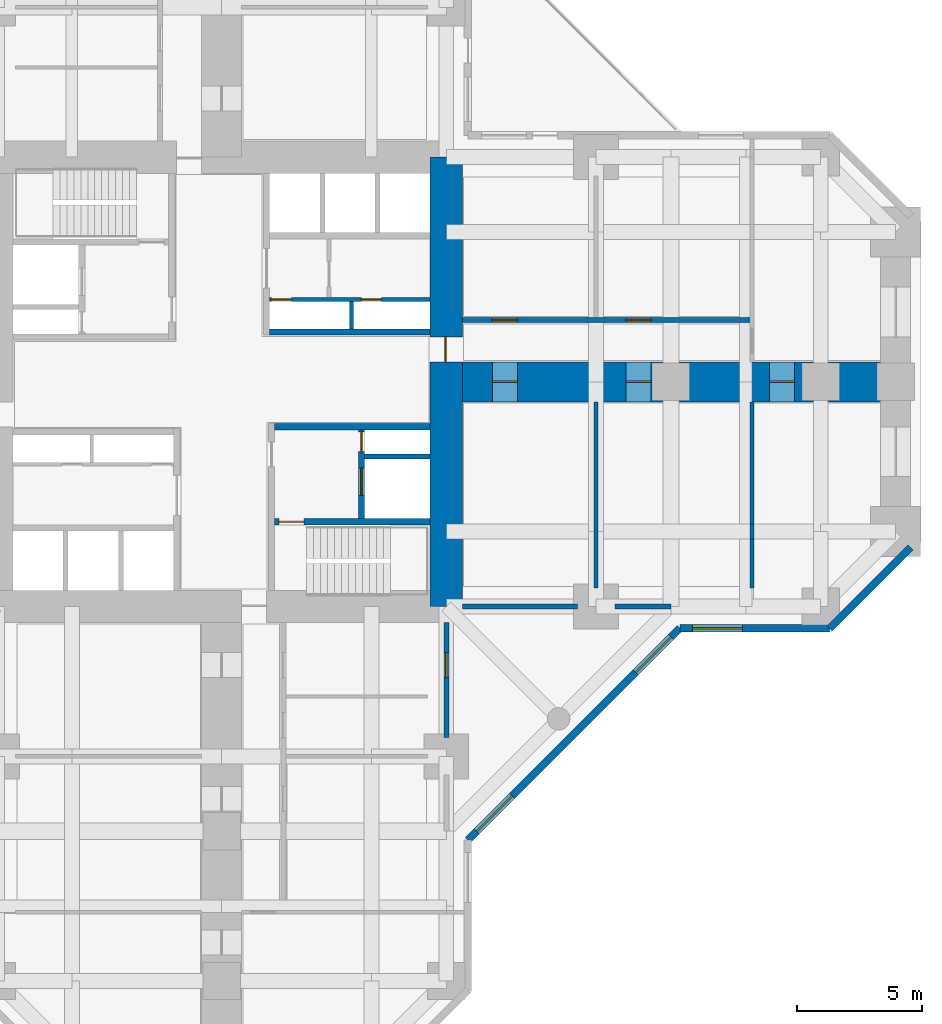
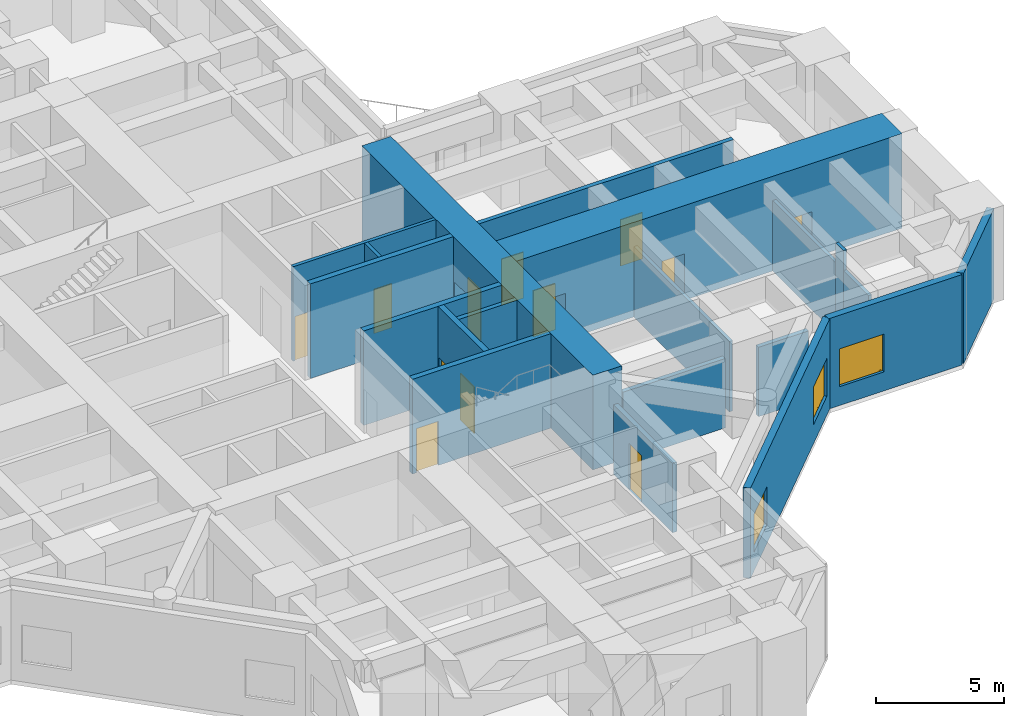
# One storey, part 5 of 10: 20 walls, 12 doors, 3 windows, 15 openings.
"""IFC4 building model written with IfcOpenShell, lengths in metres."""

import ifcopenshell
import ifcopenshell.guid

model = None  # the IFC model being written
_history = None  # IfcOwnerHistory: only IFC2X3 demands one
_inside = {}  # id of a spatial element -> (the spatial element, [elements in it])
_under = {}  # id of a project, library or spatial element -> (it, [spatial elements below it])
_declared = {}  # id of a project -> (the project, [libraries it declares])
_typed = {}  # id of a type object -> (the type object, [elements of that type])
_made_of = {}  # id of a material, layer set ... -> (it, [elements and type objects made of it])


def new_model(schema):
    """Start an empty IFC model of exactly this schema.

    Asked for "IFC4X3", IfcOpenShell would pick the latest addendum, in which some entities
    have other attributes; the version numbers below select the first issue.
    IFC2X3 requires an IfcOwnerHistory on every rooted entity: one is made here for all.
    """
    global model, _history
    if schema == "IFC4X3":
        model = ifcopenshell.file(schema_version=(4, 3, 0, 0))
    else:
        model = ifcopenshell.file(schema=schema)
    _inside.clear()
    _under.clear()
    _declared.clear()
    _typed.clear()
    _made_of.clear()
    _history = None
    if model.schema == "IFC2X3":
        org = make("IfcOrganization", Name="unknown")
        user = make(
            "IfcPersonAndOrganization",
            ThePerson=make("IfcPerson", FamilyName="unknown"),
            TheOrganization=org,
        )
        app = make(
            "IfcApplication",
            ApplicationDeveloper=org,
            Version="unknown",
            ApplicationFullName="unknown",
            ApplicationIdentifier="unknown",
        )
        _history = make(
            "IfcOwnerHistory",
            OwningUser=user,
            OwningApplication=app,
            ChangeAction="ADDED",
            CreationDate=0,
        )
    return model


def make(cls, **values):
    """One entity of the class cls with the attributes given. An attribute that is None is left unset."""
    return model.create_entity(
        cls, **{name: value for name, value in values.items() if value is not None}
    )


def rooted(cls, **values):
    """An entity with a GlobalId (a new one), such as an element, a storey or a relation."""
    return make(cls, GlobalId=ifcopenshell.guid.new(), OwnerHistory=_history, **values)


def si_unit(unit_type, name, prefix=None):
    """IfcSIUnit, for example si_unit("LENGTHUNIT", "METRE", prefix="MILLI")."""
    return make("IfcSIUnit", UnitType=unit_type, Prefix=prefix, Name=name)


def assignment(units):
    """IfcUnitAssignment: the units of a project."""
    return None if units is None else make("IfcUnitAssignment", Units=units)


def point(xyz):
    """IfcCartesianPoint."""
    return None if xyz is None else make("IfcCartesianPoint", Coordinates=xyz)


def direction(xyz):
    """IfcDirection."""
    return None if xyz is None else make("IfcDirection", DirectionRatios=xyz)


def frame(location, z_axis=None, x_axis=None):
    """IfcAxis2Placement3D, a coordinate frame: its origin and axes. An axis left out is left unset."""
    return make(
        "IfcAxis2Placement3D",
        Location=point(location),
        Axis=direction(z_axis),
        RefDirection=direction(x_axis),
    )


def frame_2d(location, x_axis=None):
    """IfcAxis2Placement2D, a coordinate frame in the plane: its origin and x axis."""
    return make(
        "IfcAxis2Placement2D", Location=point(location), RefDirection=direction(x_axis)
    )


def origin():
    """The frame at (0, 0, 0) with its axes left unset."""
    return frame((0.0, 0.0, 0.0))


def place(relative_to, where):
    """IfcLocalPlacement: puts the frame where relative to a parent placement (None: the world)."""
    return make(
        "IfcLocalPlacement", PlacementRelTo=relative_to, RelativePlacement=where
    )


def context(
    kind, dimensions, precision=None, world=None, true_north=None, identifier=None
):
    """IfcGeometricRepresentationContext, for example the 3D "Model" context."""
    return make(
        "IfcGeometricRepresentationContext",
        ContextIdentifier=identifier,
        ContextType=kind,
        CoordinateSpaceDimension=dimensions,
        Precision=precision,
        WorldCoordinateSystem=world,
        TrueNorth=true_north,
    )


def subcontext(parent, identifier, kind, view, scale=None):
    """IfcGeometricRepresentationSubContext, for example "Body" below "Model"."""
    return make(
        "IfcGeometricRepresentationSubContext",
        ContextIdentifier=identifier,
        ContextType=kind,
        ParentContext=parent,
        TargetScale=scale,
        TargetView=view,
    )


def project(units=None, contexts=None):
    """IfcProject with its units and contexts."""
    return rooted(
        "IfcProject",
        Name="project",
        RepresentationContexts=contexts,
        UnitsInContext=assignment(units),
    )


def spatial(cls, under=None, at=None, **own):
    """A site, building, storey or space (cls), placed at a placement, below another one or the project."""
    s = rooted(cls, ObjectPlacement=at, **own)
    if under is not None:
        _under.setdefault(under.id(), (under, []))[1].append(s)
    return s


def profile(cls, at=None, kind="AREA", **sizes):
    """A parametric profile (cls). Its sizes go by their IFC names, for example OverallWidth=200.0."""
    return make(cls, ProfileType=kind, Position=at, **sizes)


def rectangle(**sizes):
    """IfcRectangleProfileDef."""
    return profile("IfcRectangleProfileDef", **sizes)


def hollow_rectangle(**sizes):
    """IfcRectangleHollowProfileDef."""
    return profile("IfcRectangleHollowProfileDef", **sizes)


def extrude(swept, where, along, depth):
    """IfcExtrudedAreaSolid: the profile swept, set in the frame where, extruded along a direction by depth."""
    return make(
        "IfcExtrudedAreaSolid",
        SweptArea=swept,
        Position=where,
        ExtrudedDirection=direction(along),
        Depth=depth,
    )


def shape(context_of_items, identifier, shape_type, items):
    """IfcShapeRepresentation: the items that make up one representation, for example the "Body"."""
    return make(
        "IfcShapeRepresentation",
        ContextOfItems=context_of_items,
        RepresentationIdentifier=identifier,
        RepresentationType=shape_type,
        Items=items,
    )


def material(Name=None, Category=None):
    """IfcMaterial."""
    return make("IfcMaterial", Name=Name, Category=Category)


def layer(
    of_material, thickness, ventilated=None, Name=None, Category=None, Priority=None
):
    """IfcMaterialLayer: one layer of a wall or slab, of a material (None: an air gap)."""
    return make(
        "IfcMaterialLayer",
        Material=of_material,
        LayerThickness=thickness,
        IsVentilated=ventilated,
        Name=Name,
        Category=Category,
        Priority=Priority,
    )


def layer_set(layers, Name=None):
    """IfcMaterialLayerSet."""
    return make("IfcMaterialLayerSet", MaterialLayers=layers, LayerSetName=Name)


def constituent(of_material, Name=None, Category=None, fraction=None):
    """IfcMaterialConstituent: one of the materials an element consists of."""
    return make(
        "IfcMaterialConstituent",
        Name=Name,
        Material=of_material,
        Fraction=fraction,
        Category=Category,
    )


def constituent_set(constituents=None, Name=None):
    """IfcMaterialConstituentSet."""
    return make(
        "IfcMaterialConstituentSet", Name=Name, MaterialConstituents=constituents
    )


def made_of(thing, what):
    """Note that an element or type object is made of a material, layer set ...; save() writes the relation."""
    if what is not None:
        _made_of.setdefault(what.id(), (what, []))[1].append(thing)
    return thing


def type_object(cls, material=None, **own):
    """A type object (cls), such as IfcWallType, which elements share."""
    return made_of(rooted(cls, **own), material)


def element(
    cls,
    number,
    at=None,
    inside=None,
    cuts=None,
    type_object=None,
    material=None,
    context=None,
    identifier="Body",
    shape_type=None,
    held_by="IfcProductDefinitionShape",
    body=None,
    shapes=None,
    **own,
):
    """One element of the class cls, such as IfcWall. Its Tag is "e" and its number.

    at: its placement. inside: the storey or other place that contains it. cuts: it is an
    opening in that element (IfcRelVoidsElement). A single representation is given by context,
    identifier, shape_type and body (its items); several are given by shapes. held_by: the class
    of the entity that holds the representations. save() writes the other relations.
    """
    e = rooted(cls, Tag="e%d" % number, ObjectPlacement=at, **own)
    if body is not None:
        shapes = [shape(context, identifier, shape_type, body)]
    if shapes is not None:
        e.Representation = make(held_by, Representations=shapes)
    if inside is not None:
        _inside.setdefault(inside.id(), (inside, []))[1].append(e)
    if cuts is not None:
        rooted(
            "IfcRelVoidsElement", RelatingBuildingElement=cuts, RelatedOpeningElement=e
        )
    if type_object is not None:
        _typed.setdefault(type_object.id(), (type_object, []))[1].append(e)
    return made_of(e, material)


def fill(opening, filler):
    """IfcRelFillsElement: the door or window that sits in an opening."""
    return rooted(
        "IfcRelFillsElement",
        RelatingOpeningElement=opening,
        RelatedBuildingElement=filler,
    )


def aggregate(whole, parts):
    """IfcRelAggregates: a whole, such as a stair, and the parts it consists of."""
    return rooted("IfcRelAggregates", RelatingObject=whole, RelatedObjects=parts)


def save(model, path):
    """Write the relations noted so far, then the file.

    IfcRelAggregates (storeys below a building ...), IfcRelContainedInSpatialStructure (elements
    in a storey), IfcRelDefinesByType, IfcRelAssociatesMaterial and IfcRelDeclares: one each for
    every whole, place, type object, material and project.
    """
    for whole, parts in _under.values():
        aggregate(whole, parts)
    for where, things in _inside.values():
        rooted(
            "IfcRelContainedInSpatialStructure",
            RelatedElements=things,
            RelatingStructure=where,
        )
    for kind, things in _typed.values():
        rooted("IfcRelDefinesByType", RelatedObjects=things, RelatingType=kind)
    for what, things in _made_of.values():
        rooted("IfcRelAssociatesMaterial", RelatedObjects=things, RelatingMaterial=what)
    for by, libraries in _declared.values():
        rooted("IfcRelDeclares", RelatingContext=by, RelatedDefinitions=libraries)
    model.write(path)


model = new_model("IFC4")

# Units and contexts
model_context = context("Model", 3, precision=1e-05, world=origin(), true_north=direction((0.0, 1.0)))
body_context = subcontext(model_context, "Body", "Model", "MODEL_VIEW")
ifc_project = project(units=[si_unit("LENGTHUNIT", "METRE"), si_unit("AREAUNIT", "SQUARE_METRE"), si_unit("VOLUMEUNIT", "CUBIC_METRE"), si_unit("PLANEANGLEUNIT", "RADIAN"), si_unit("MASSUNIT", "GRAM", prefix="KILO")], contexts=[model_context])

# Site, building, storey
site_placement = place(None, origin())
site = spatial("IfcSite", under=ifc_project, at=site_placement, CompositionType="ELEMENT")
building_placement = place(site_placement, origin())
building = spatial("IfcBuilding", under=site, at=building_placement, Name="Torre Cruceta", CompositionType="ELEMENT")
storey_placement = place(building_placement, frame((0.0, 0.0, 5.0)))
storey = spatial("IfcBuildingStorey", under=building, at=storey_placement, Name="L01", CompositionType="ELEMENT", Elevation=5.0)

# Walls
ifc_material_1 = material(Name="Concrete G60 (fck 60 MPa)", Category="concrete")
ifc_layer_1 = layer(ifc_material_1, 0.25)
ifc_layer_set_1 = layer_set([ifc_layer_1], Name="Concrete G60 (fck 60 MPa)")
wall_type_1 = type_object("IfcWallType", Name="CORE INNER WALL 250 G60", PredefinedType="SHEAR", material=ifc_layer_set_1)
wall_1_placement = place(storey_placement, frame((1.925048828125, 2.0, 0.0), z_axis=(0.0, 0.0, 1.0), x_axis=(1.0, 0.0, 0.0)))
element("IfcWall", 1, at=wall_1_placement, inside=storey, type_object=wall_type_1, Name="CW4 L01 NE-CV", PredefinedType="SHEAR", context=body_context, shape_type="SweptSolid", body=[
    extrude(rectangle(XDim=6.425048828125, YDim=0.25, at=frame_2d((3.21240234375, 0.0))), origin(), (0.0, 0.0, 1.0), 4.5),
])
wall_2_placement = place(storey_placement, frame((2.125, -1.800048828125, 0.0), z_axis=(0.0, 0.0, 1.0), x_axis=(1.0, 0.0, 0.0)))
element("IfcWall", 2, at=wall_2_placement, inside=storey, type_object=wall_type_1, Name="CW4 L01 SE-CV", PredefinedType="SHEAR", context=body_context, shape_type="SweptSolid", body=[
    extrude(rectangle(XDim=6.22509765625, YDim=0.25, at=frame_2d((3.112548828125, 0.0))), origin(), (0.0, 0.0, 1.0), 4.5),
])

# Wall, opening, door
wall_3_placement = place(storey_placement, frame((2.125, -5.60009765625, 0.0), z_axis=(0.0, 0.0, 1.0), x_axis=(1.0, 0.0, 0.0)))
wall_3 = element("IfcWall", 3, at=wall_3_placement, inside=storey, type_object=wall_type_1, Name="CW4 L01 SE-SV", PredefinedType="SHEAR", context=body_context, shape_type="SweptSolid", body=[
    extrude(rectangle(XDim=6.22509765625, YDim=0.25, at=frame_2d((3.112548828125, 0.0))), origin(), (0.0, 0.0, 1.0), 4.5),
])
opening_1_placement = place(wall_3_placement, frame((0.175048828125, 0.0, 0.0)))
opening_1 = element("IfcOpeningElement", 4, at=opening_1_placement, cuts=wall_3, Name="Opening D3", PredefinedType="OPENING", context=body_context, shape_type="SweptSolid", body=[
    extrude(rectangle(XDim=1.0, YDim=2.10009765625, at=frame_2d((0.5, 1.050048828125))), frame((0.0, 0.135009765625, 0.0), z_axis=(0.0, -1.0, 0.0), x_axis=(1.0, 0.0, 0.0)), (0.0, 0.0, 1.0), 0.27001953125),
])
ifc_material_2 = material(Name="Steel DX51D", Category="steel")
ifc_constituent_1 = constituent(ifc_material_2, Name="Leaf and frame")
ifc_material_3 = material(Name="Polyester powder coating", Category="paint")
ifc_constituent_2 = constituent(ifc_material_3, Name="Finish")
ifc_constituent_set_1 = constituent_set(constituents=[ifc_constituent_1, ifc_constituent_2], Name="Steel fire door")
door_type_1 = type_object("IfcDoorType", Name="FIRE DOOR 1000X2100", OperationType="SINGLE_SWING_LEFT", PredefinedType="DOOR", material=ifc_constituent_set_1)
door_1_placement = place(opening_1_placement, frame((1.0, 0.0, 0.0), z_axis=(0.0, 0.0, 1.0), x_axis=(-1.0, 0.0, 0.0)))
door_1 = element("IfcDoor", 5, at=door_1_placement, inside=storey, type_object=door_type_1, Name="D3 L01 SE-STAIR", OperationType="SINGLE_SWING_RIGHT", OverallHeight=2.10009765625, OverallWidth=1.0, PredefinedType="DOOR", context=body_context, shape_type="SweptSolid", body=[
    extrude(rectangle(XDim=1.0, YDim=2.10009765625, at=frame_2d((0.5, 1.050048828125))), frame((0.0, 0.025146484375, 0.0), z_axis=(0.0, -1.0, 0.0), x_axis=(1.0, 0.0, 0.0)), (0.0, 0.0, 1.0), 0.050048828125),
])
fill(opening_1, door_1)

# Wall, openings, doors
wall_4_placement = place(storey_placement, frame((5.60009765625, -1.925048828125, 0.0), z_axis=(0.0, 0.0, 1.0), x_axis=(0.0, -1.0, 0.0)))
wall_4 = element("IfcWall", 6, at=wall_4_placement, inside=storey, type_object=wall_type_1, Name="CW4 L01 SE-FU", PredefinedType="SHEAR", context=body_context, shape_type="SweptSolid", body=[
    extrude(rectangle(XDim=3.550048828125, YDim=0.25, at=frame_2d((1.77490234375, 0.0))), origin(), (0.0, 0.0, 1.0), 4.5),
])
opening_2_placement = place(wall_4_placement, frame((1.52490234375, 0.0, 0.0)))
opening_2 = element("IfcOpeningElement", 7, at=opening_2_placement, cuts=wall_4, Name="Opening LD1", PredefinedType="OPENING", context=body_context, shape_type="SweptSolid", body=[
    extrude(rectangle(XDim=1.10009765625, YDim=2.199951171875, at=frame_2d((0.550048828125, 1.10009765625))), frame((0.0, 0.135009765625, 0.0), z_axis=(0.0, -1.0, 0.0), x_axis=(1.0, 0.0, 0.0)), (0.0, 0.0, 1.0), 0.27001953125),
])
opening_3_placement = place(wall_4_placement, frame((0.074951171875, 0.0, 0.0)))
opening_3 = element("IfcOpeningElement", 8, at=opening_3_placement, cuts=wall_4, Name="Opening D5", PredefinedType="OPENING", context=body_context, shape_type="SweptSolid", body=[
    extrude(rectangle(XDim=0.800048828125, YDim=2.10009765625, at=frame_2d((0.39990234375, 1.050048828125))), frame((0.0, 0.135009765625, 0.0), z_axis=(0.0, -1.0, 0.0), x_axis=(1.0, 0.0, 0.0)), (0.0, 0.0, 1.0), 0.27001953125),
])
ifc_material_4 = material(Name="Stainless steel 1.4401", Category="steel")
door_type_2 = type_object("IfcDoorType", Name="LIFT LANDING DOOR 1100X2200", OperationType="DOUBLE_DOOR_SLIDING", PredefinedType="DOOR", material=ifc_material_4)
door_2_placement = place(opening_2_placement, origin())
door_2 = element("IfcDoor", 9, at=door_2_placement, inside=storey, type_object=door_type_2, Name="Lift landing door FL2", OperationType="DOUBLE_DOOR_SLIDING", OverallHeight=2.199951171875, OverallWidth=1.10009765625, PredefinedType="DOOR", context=body_context, shape_type="SweptSolid", body=[
    extrude(rectangle(XDim=1.10009765625, YDim=2.199951171875, at=frame_2d((0.550048828125, 1.10009765625))), frame((0.0, 0.02490234375, 0.0), z_axis=(0.0, -1.0, 0.0), x_axis=(1.0, 0.0, 0.0)), (0.0, 0.0, 1.0), 0.050048828125),
])
fill(opening_2, door_2)
ifc_material_5 = material(Name="Steel DX51D", Category="steel")
ifc_constituent_3 = constituent(ifc_material_5, Name="Leaf and frame")
ifc_material_6 = material(Name="Polyester powder coating", Category="paint")
ifc_constituent_4 = constituent(ifc_material_6, Name="Finish")
ifc_constituent_set_2 = constituent_set(constituents=[ifc_constituent_3, ifc_constituent_4], Name="Steel fire door")
door_type_3 = type_object("IfcDoorType", Name="RISER ACCESS DOOR 800X2100", OperationType="SINGLE_SWING_LEFT", PredefinedType="DOOR", material=ifc_constituent_set_2)
door_3_placement = place(opening_3_placement, origin())
door_3 = element("IfcDoor", 10, at=door_3_placement, inside=storey, type_object=door_type_3, Name="D5 L01 SE-RISER", OperationType="SINGLE_SWING_LEFT", OverallHeight=2.10009765625, OverallWidth=0.800048828125, PredefinedType="DOOR", context=body_context, shape_type="SweptSolid", body=[
    extrude(rectangle(XDim=0.800048828125, YDim=2.10009765625, at=frame_2d((0.39990234375, 1.050048828125))), frame((0.0, 0.02490234375, 0.0), z_axis=(0.0, -1.0, 0.0), x_axis=(1.0, 0.0, 0.0)), (0.0, 0.0, 1.0), 0.050048828125),
])
fill(opening_3, door_3)

# Wall, opening, door
ifc_material_7 = material(Name="Concrete G60 (fck 60 MPa)", Category="concrete")
ifc_layer_2 = layer(ifc_material_7, 1.300048828125)
ifc_layer_set_2 = layer_set([ifc_layer_2], Name="Concrete G60 (fck 60 MPa)")
wall_type_2 = type_object("IfcWallType", Name="CORE WALL 1300 G60", PredefinedType="SHEAR", material=ifc_layer_set_2)
wall_5_placement = place(storey_placement, frame((9.0, -9.0, 0.0), z_axis=(0.0, 0.0, 1.0), x_axis=(0.0, 1.0, 0.0)))
wall_5 = element("IfcWall", 11, at=wall_5_placement, inside=storey, type_object=wall_type_2, Name="CW1 L01 CW-E", PredefinedType="SHEAR", context=body_context, shape_type="SweptSolid", body=[
    extrude(rectangle(XDim=18.0, YDim=1.300048828125, at=frame_2d((9.0, 0.0))), origin(), (0.0, 0.0, 1.0), 4.5),
])
opening_4_placement = place(wall_5_placement, frame((9.800048828125, 0.0, 0.0)))
opening_4 = element("IfcOpeningElement", 12, at=opening_4_placement, cuts=wall_5, Name="Opening D4", PredefinedType="OPENING", context=body_context, shape_type="SweptSolid", body=[
    extrude(rectangle(XDim=1.0, YDim=2.39990234375, at=frame_2d((0.5, 1.199951171875))), frame((0.0, 0.659912109375, 0.0), z_axis=(0.0, -1.0, 0.0), x_axis=(1.0, 0.0, 0.0)), (0.0, 0.0, 1.0), 1.320068359375),
])
ifc_material_8 = material(Name="Steel DX51D", Category="steel")
ifc_constituent_5 = constituent(ifc_material_8, Name="Leaf and frame")
ifc_material_9 = material(Name="Polyester powder coating", Category="paint")
ifc_constituent_6 = constituent(ifc_material_9, Name="Finish")
ifc_constituent_set_3 = constituent_set(constituents=[ifc_constituent_5, ifc_constituent_6], Name="Steel fire door")
door_type_4 = type_object("IfcDoorType", Name="CORE ARM DOOR 1000X2400", OperationType="SINGLE_SWING_RIGHT", PredefinedType="DOOR", material=ifc_constituent_set_3)
door_4_placement = place(opening_4_placement, origin())
door_4 = element("IfcDoor", 13, at=door_4_placement, inside=storey, type_object=door_type_4, Name="D4 L01 CW-E", OperationType="SINGLE_SWING_RIGHT", OverallHeight=2.39990234375, OverallWidth=1.0, PredefinedType="DOOR", context=body_context, shape_type="SweptSolid", body=[
    extrude(rectangle(XDim=1.0, YDim=2.39990234375, at=frame_2d((0.5, 1.199951171875))), frame((0.0, 0.05517578125, 0.0), z_axis=(0.0, -1.0, 0.0), x_axis=(1.0, 0.0, 0.0)), (0.0, 0.0, 1.0), 0.050048828125),
])
fill(opening_4, door_4)

# Wall, openings, doors
ifc_material_10 = material(Name="Concrete G25 (fck 25 MPa)", Category="concrete")
ifc_layer_3 = layer(ifc_material_10, 0.199951171875)
ifc_layer_set_3 = layer_set([ifc_layer_3], Name="Concrete G25 (fck 25 MPa)")
wall_type_3 = type_object("IfcWallType", Name="CORRIDOR WALL 200", PredefinedType="SOLIDWALL", material=ifc_layer_set_3)
wall_6_placement = place(storey_placement, frame((9.64990234375, 2.47509765625, 0.0), z_axis=(0.0, 0.0, 1.0), x_axis=(1.0, 0.0, 0.0)))
wall_6 = element("IfcWall", 14, at=wall_6_placement, inside=storey, type_object=wall_type_3, Name="PT3 L01-E-CL", PredefinedType="SOLIDWALL", context=body_context, shape_type="SweptSolid", body=[
    extrude(rectangle(XDim=11.60009765625, YDim=0.199951171875, at=frame_2d((5.800048828125, 0.0))), origin(), (0.0, 0.0, 1.0), 4.300048828125),
])
opening_5_placement = place(wall_6_placement, frame((1.199951171875, 0.0, 0.0)))
opening_5 = element("IfcOpeningElement", 15, at=opening_5_placement, cuts=wall_6, Name="Opening D14", PredefinedType="OPENING", context=body_context, shape_type="SweptSolid", body=[
    extrude(rectangle(XDim=1.0, YDim=2.199951171875, at=frame_2d((0.5, 1.10009765625))), frame((0.0, 0.10986328125, 0.0), z_axis=(0.0, -1.0, 0.0), x_axis=(1.0, 0.0, 0.0)), (0.0, 0.0, 1.0), 0.219970703125),
])
opening_6_placement = place(wall_6_placement, frame((6.550048828125, 0.0, 0.0)))
opening_6 = element("IfcOpeningElement", 16, at=opening_6_placement, cuts=wall_6, Name="Opening D14", PredefinedType="OPENING", context=body_context, shape_type="SweptSolid", body=[
    extrude(rectangle(XDim=1.0, YDim=2.199951171875, at=frame_2d((0.5, 1.10009765625))), frame((0.0, 0.10986328125, 0.0), z_axis=(0.0, -1.0, 0.0), x_axis=(1.0, 0.0, 0.0)), (0.0, 0.0, 1.0), 0.219970703125),
])
ifc_material_11 = material(Name="Steel DX51D", Category="steel")
ifc_constituent_7 = constituent(ifc_material_11, Name="Leaf and frame")
ifc_material_12 = material(Name="Polyester powder coating", Category="paint")
ifc_constituent_8 = constituent(ifc_material_12, Name="Finish")
ifc_material_13 = material(Name="Fire-resisting glass", Category="glass")
ifc_constituent_9 = constituent(ifc_material_13, Name="Vision panel")
ifc_constituent_set_4 = constituent_set(constituents=[ifc_constituent_7, ifc_constituent_8, ifc_constituent_9], Name="Steel fire door with vision panel")
door_type_5 = type_object("IfcDoorType", Name="FIRE DOOR VISION PANEL 1000X2200", OperationType="SINGLE_SWING_RIGHT", PredefinedType="DOOR", material=ifc_constituent_set_4)
door_5_placement = place(opening_5_placement, origin())
door_5 = element("IfcDoor", 17, at=door_5_placement, inside=storey, type_object=door_type_5, Name="D14 L01-E-CL-D1", OperationType="SINGLE_SWING_LEFT", OverallHeight=2.199951171875, OverallWidth=1.0, PredefinedType="DOOR", context=body_context, shape_type="SweptSolid", body=[
    extrude(rectangle(XDim=1.0, YDim=2.199951171875, at=frame_2d((0.5, 1.10009765625))), frame((0.0, 0.02490234375, 0.0), z_axis=(0.0, -1.0, 0.0), x_axis=(1.0, 0.0, 0.0)), (0.0, 0.0, 1.0), 0.050048828125),
])
fill(opening_5, door_5)
door_6_placement = place(opening_6_placement, origin())
door_6 = element("IfcDoor", 18, at=door_6_placement, inside=storey, type_object=door_type_5, Name="D14 L01-E-CL-D2", OperationType="SINGLE_SWING_LEFT", OverallHeight=2.199951171875, OverallWidth=1.0, PredefinedType="DOOR", context=body_context, shape_type="SweptSolid", body=[
    extrude(rectangle(XDim=1.0, YDim=2.199951171875, at=frame_2d((0.5, 1.10009765625))), frame((0.0, 0.02490234375, 0.0), z_axis=(0.0, -1.0, 0.0), x_axis=(1.0, 0.0, 0.0)), (0.0, 0.0, 1.0), 0.050048828125),
])
fill(opening_6, door_6)

# Wall, opening, window
ifc_material_14 = material(Name="Concrete G30 (fck 30 MPa)", Category="concrete")
ifc_layer_4 = layer(ifc_material_14, 0.300048828125)
ifc_layer_set_4 = layer_set([ifc_layer_4], Name="Concrete G30 (fck 30 MPa)")
wall_type_4 = type_object("IfcWallType", Name="EXPOSED CONCRETE FACADE WALL 300", PredefinedType="SOLIDWALL", material=ifc_layer_set_4)
wall_7_placement = place(storey_placement, frame((18.3603515625, -9.8701171875, 0.0), z_axis=(0.0, 0.0, 1.0), x_axis=(1.0, 0.0, 0.0)))
wall_7 = element("IfcWall", 19, at=wall_7_placement, inside=storey, type_object=wall_type_4, Name="EW1 facade wall L01 E side 00", PredefinedType="SOLIDWALL", context=body_context, shape_type="SweptSolid", body=[
    extrude(rectangle(XDim=6.0, YDim=0.300048828125, at=frame_2d((3.0, 0.0))), origin(), (0.0, 0.0, 1.0), 4.300048828125),
])
opening_7_placement = place(wall_7_placement, frame((0.5, 0.0, 0.89990234375)))
opening_7 = element("IfcOpeningElement", 20, at=opening_7_placement, cuts=wall_7, Name="Opening WN1", PredefinedType="OPENING", context=body_context, shape_type="SweptSolid", body=[
    extrude(rectangle(XDim=2.0, YDim=1.800048828125, at=frame_2d((1.0, 0.89990234375))), frame((0.0, 0.159912109375, 0.0), z_axis=(0.0, -1.0, 0.0), x_axis=(1.0, 0.0, 0.0)), (0.0, 0.0, 1.0), 0.320068359375),
])
ifc_material_15 = material(Name="Aluminium window frame", Category="aluminium")
ifc_constituent_10 = constituent(ifc_material_15, Name="Frame")
ifc_material_16 = material(Name="Laminated insulating glass unit, low-iron clear", Category="glass")
ifc_constituent_11 = constituent(ifc_material_16, Name="Glazing")
ifc_constituent_set_5 = constituent_set(constituents=[ifc_constituent_10, ifc_constituent_11], Name="Aluminium window")
window_type = type_object("IfcWindowType", Name="SCHOOL WINDOW 2000X1800", PartitioningType="SINGLE_PANEL", PredefinedType="WINDOW", material=ifc_constituent_set_5)
window_1_placement = place(opening_7_placement, origin())
window_1 = element("IfcWindow", 21, at=window_1_placement, inside=storey, type_object=window_type, Name="WN1 L01 E 1", OverallHeight=1.800048828125, OverallWidth=2.0, PartitioningType="SINGLE_PANEL", PredefinedType="WINDOW", context=body_context, shape_type="SweptSolid", body=[
    extrude(hollow_rectangle(XDim=2.0, YDim=1.800048828125, WallThickness=0.06005859375, at=frame_2d((1.0, 0.89990234375))), frame((0.0, 0.030029296875, 0.0), z_axis=(0.0, -1.0, 0.0), x_axis=(1.0, 0.0, 0.0)), (0.0, 0.0, 1.0), 0.06005859375),
    extrude(rectangle(XDim=1.87890625, YDim=1.678955078125, at=frame_2d((1.0, 0.89990234375))), frame((0.0, 0.030029296875, 0.0), z_axis=(0.0, -1.0, 0.0), x_axis=(1.0, 0.0, 0.0)), (0.0, 0.0, 1.0), 0.06005859375),
])
fill(opening_7, window_1)

# Wall
wall_8_placement = place(storey_placement, frame((24.3603515625, -9.8701171875, 0.0), z_axis=(0.0, 0.0, 1.0), x_axis=(0.707106781187, 0.707106781187, 0.0)))
element("IfcWall", 22, at=wall_8_placement, inside=storey, type_object=wall_type_4, Name="EW1 facade wall L01 E chamfer 01", PredefinedType="SOLIDWALL", context=body_context, shape_type="SweptSolid", body=[
    extrude(rectangle(XDim=4.581787109375, YDim=0.300048828125, at=frame_2d((2.291015625, 0.0))), origin(), (0.0, 0.0, 1.0), 4.300048828125),
])

# Wall, openings, windows
wall_9_placement = place(storey_placement, frame((9.8701171875, -18.3603515625, 0.0), z_axis=(0.0, 0.0, 1.0), x_axis=(0.707106781187, 0.707106781187, 0.0)))
wall_9 = element("IfcWall", 23, at=wall_9_placement, inside=storey, type_object=wall_type_4, Name="EW1 facade wall L01 S wing 21", PredefinedType="SOLIDWALL", context=body_context, shape_type="SweptSolid", body=[
    extrude(rectangle(XDim=12.007080078125, YDim=0.300048828125, at=frame_2d((6.00341796875, 0.0))), origin(), (0.0, 0.0, 1.0), 4.300048828125),
])
opening_8_placement = place(wall_9_placement, frame((0.5009765625, 0.0, 0.89990234375)))
opening_8 = element("IfcOpeningElement", 24, at=opening_8_placement, cuts=wall_9, Name="Opening WN1", PredefinedType="OPENING", context=body_context, shape_type="SweptSolid", body=[
    extrude(rectangle(XDim=2.0, YDim=1.800048828125, at=frame_2d((1.0, 0.89990234375))), frame((0.0, 0.159912109375, 0.0), z_axis=(0.0, -1.0, 0.0), x_axis=(1.0, 0.0, 0.0)), (0.0, 0.0, 1.0), 0.320068359375),
])
opening_9_placement = place(wall_9_placement, frame((9.50634765625, 0.0, 0.89990234375)))
opening_9 = element("IfcOpeningElement", 25, at=opening_9_placement, cuts=wall_9, Name="Opening WN1", PredefinedType="OPENING", context=body_context, shape_type="SweptSolid", body=[
    extrude(rectangle(XDim=2.0, YDim=1.800048828125, at=frame_2d((1.0, 0.89990234375))), frame((0.0, 0.159912109375, 0.0), z_axis=(0.0, -1.0, 0.0), x_axis=(1.0, 0.0, 0.0)), (0.0, 0.0, 1.0), 0.320068359375),
])
window_2_placement = place(opening_8_placement, origin())
window_2 = element("IfcWindow", 26, at=window_2_placement, inside=storey, type_object=window_type, Name="WN1 L01 S 1", OverallHeight=1.800048828125, OverallWidth=2.0, PartitioningType="SINGLE_PANEL", PredefinedType="WINDOW", context=body_context, shape_type="SweptSolid", body=[
    extrude(hollow_rectangle(XDim=2.0, YDim=1.800048828125, WallThickness=0.06005859375, at=frame_2d((1.0, 0.89990234375))), frame((0.0, 0.030029296875, 0.0), z_axis=(0.0, -1.0, 0.0), x_axis=(1.0, 0.0, 0.0)), (0.0, 0.0, 1.0), 0.06005859375),
    extrude(rectangle(XDim=1.87890625, YDim=1.678955078125, at=frame_2d((1.0, 0.89990234375))), frame((0.0, 0.030029296875, 0.0), z_axis=(0.0, -1.0, 0.0), x_axis=(1.0, 0.0, 0.0)), (0.0, 0.0, 1.0), 0.06005859375),
])
fill(opening_8, window_2)
window_3_placement = place(opening_9_placement, origin())
window_3 = element("IfcWindow", 27, at=window_3_placement, inside=storey, type_object=window_type, Name="WN1 L01 S 4", OverallHeight=1.800048828125, OverallWidth=2.0, PartitioningType="SINGLE_PANEL", PredefinedType="WINDOW", context=body_context, shape_type="SweptSolid", body=[
    extrude(hollow_rectangle(XDim=2.0, YDim=1.800048828125, WallThickness=0.06005859375, at=frame_2d((1.0, 0.89990234375))), frame((0.0, 0.030029296875, 0.0), z_axis=(0.0, -1.0, 0.0), x_axis=(1.0, 0.0, 0.0)), (0.0, 0.0, 1.0), 0.06005859375),
    extrude(rectangle(XDim=1.87890625, YDim=1.678955078125, at=frame_2d((1.0, 0.89990234375))), frame((0.0, 0.030029296875, 0.0), z_axis=(0.0, -1.0, 0.0), x_axis=(1.0, 0.0, 0.0)), (0.0, 0.0, 1.0), 0.06005859375),
])
fill(opening_9, window_3)

# Walls
ifc_material_17 = material(Name="Concrete G35 (fck 35 MPa)", Category="concrete")
ifc_layer_5 = layer(ifc_material_17, 0.199951171875)
ifc_layer_set_5 = layer_set([ifc_layer_5], Name="Concrete G35 (fck 35 MPa)")
wall_type_5 = type_object("IfcWallType", Name="LIFT SHAFT WALL 200", PredefinedType="PARTITIONING", material=ifc_layer_set_5)
wall_10_placement = place(storey_placement, frame((5.72509765625, -3.0, 0.0), z_axis=(0.0, 0.0, 1.0), x_axis=(1.0, 0.0, 0.0)))
element("IfcWall", 28, at=wall_10_placement, inside=storey, type_object=wall_type_5, Name="SW1 L01 SE-FR", PredefinedType="PARTITIONING", context=body_context, shape_type="SweptSolid", body=[
    extrude(rectangle(XDim=2.625, YDim=0.199951171875, at=frame_2d((1.3125, 0.0))), origin(), (0.0, 0.0, 1.0), 4.5),
])
ifc_material_18 = material(Name="Plasterboard on steel studs", Category="steel")
ifc_layer_6 = layer(ifc_material_18, 0.14990234375)
ifc_layer_set_6 = layer_set([ifc_layer_6], Name="Plasterboard on steel studs")
wall_type_6 = type_object("IfcWallType", Name="PARTITION 150", PredefinedType="PARTITIONING", material=ifc_layer_set_6)
wall_11_placement = place(storey_placement, frame((15.0, -8.25, 0.0), z_axis=(0.0, 0.0, 1.0), x_axis=(0.0, 1.0, 0.0)))
element("IfcWall", 29, at=wall_11_placement, inside=storey, type_object=wall_type_6, Name="PT1 L01-E-P1R", PredefinedType="PARTITIONING", context=body_context, shape_type="SweptSolid", body=[
    extrude(rectangle(XDim=7.449951171875, YDim=0.14990234375, at=frame_2d((3.72509765625, 0.0))), origin(), (0.0, 0.0, 1.0), 3.35009765625),
])
wall_12_placement = place(storey_placement, frame((21.25, -8.25, 0.0), z_axis=(0.0, 0.0, 1.0), x_axis=(0.0, 1.0, 0.0)))
element("IfcWall", 30, at=wall_12_placement, inside=storey, type_object=wall_type_6, Name="PT1 L01-E-ENDa", PredefinedType="PARTITIONING", context=body_context, shape_type="SweptSolid", body=[
    extrude(rectangle(XDim=1.949951171875, YDim=0.14990234375, at=frame_2d((0.97509765625, 0.0))), origin(), (0.0, 0.0, 1.0), 3.35009765625),
])
wall_13_placement = place(storey_placement, frame((21.25, -6.300048828125, 0.0), z_axis=(0.0, 0.0, 1.0), x_axis=(0.0, 1.0, 0.0)))
element("IfcWall", 31, at=wall_13_placement, inside=storey, type_object=wall_type_6, Name="PT1 L01-E-ENDa 2", PredefinedType="PARTITIONING", context=body_context, shape_type="SweptSolid", body=[
    extrude(rectangle(XDim=0.60009765625, YDim=0.14990234375, at=frame_2d((0.300048828125, 0.0))), origin(), (0.0, 0.0, 1.0), 4.300048828125),
])
wall_14_placement = place(storey_placement, frame((21.25, -5.699951171875, 0.0), z_axis=(0.0, 0.0, 1.0), x_axis=(0.0, 1.0, 0.0)))
element("IfcWall", 32, at=wall_14_placement, inside=storey, type_object=wall_type_6, Name="PT1 L01-E-ENDa 3", PredefinedType="PARTITIONING", context=body_context, shape_type="SweptSolid", body=[
    extrude(rectangle(XDim=4.89990234375, YDim=0.14990234375, at=frame_2d((2.449951171875, 0.0))), origin(), (0.0, 0.0, 1.0), 3.35009765625),
])

# Wall, openings, doors
ifc_material_19 = material(Name="Concrete block masonry", Category="masonry")
ifc_layer_7 = layer(ifc_material_19, 0.14990234375)
ifc_layer_set_7 = layer_set([ifc_layer_7], Name="Concrete block masonry")
wall_type_7 = type_object("IfcWallType", Name="RISER WALL 150", PredefinedType="PARTITIONING", material=ifc_layer_set_7)
wall_15_placement = place(storey_placement, frame((1.925048828125, 3.300048828125, 0.0), z_axis=(0.0, 0.0, 1.0), x_axis=(1.0, 0.0, 0.0)))
wall_15 = element("IfcWall", 33, at=wall_15_placement, inside=storey, type_object=wall_type_7, Name="SW7 L01 NE-RV", PredefinedType="PARTITIONING", context=body_context, shape_type="SweptSolid", body=[
    extrude(rectangle(XDim=6.425048828125, YDim=0.14990234375, at=frame_2d((3.21240234375, 0.0))), origin(), (0.0, 0.0, 1.0), 4.5),
])
opening_10_placement = place(wall_15_placement, frame((0.074951171875, 0.0, 0.0)))
opening_10 = element("IfcOpeningElement", 34, at=opening_10_placement, cuts=wall_15, Name="Opening D5", PredefinedType="OPENING", context=body_context, shape_type="SweptSolid", body=[
    extrude(rectangle(XDim=0.800048828125, YDim=2.10009765625, at=frame_2d((0.39990234375, 1.050048828125))), frame((0.0, 0.0849609375, 0.0), z_axis=(0.0, -1.0, 0.0), x_axis=(1.0, 0.0, 0.0)), (0.0, 0.0, 1.0), 0.169921875),
])
opening_11_placement = place(wall_15_placement, frame((3.675048828125, 0.0, 0.0)))
opening_11 = element("IfcOpeningElement", 35, at=opening_11_placement, cuts=wall_15, Name="Opening D5", PredefinedType="OPENING", context=body_context, shape_type="SweptSolid", body=[
    extrude(rectangle(XDim=0.800048828125, YDim=2.10009765625, at=frame_2d((0.39990234375, 1.050048828125))), frame((0.0, 0.0849609375, 0.0), z_axis=(0.0, -1.0, 0.0), x_axis=(1.0, 0.0, 0.0)), (0.0, 0.0, 1.0), 0.169921875),
])
door_7_placement = place(opening_10_placement, frame((0.800048828125, 0.0, 0.0), z_axis=(0.0, 0.0, 1.0), x_axis=(-1.0, 0.0, 0.0)))
door_7 = element("IfcDoor", 36, at=door_7_placement, inside=storey, type_object=door_type_3, Name="D5 L01 NE-RISER1", OperationType="SINGLE_SWING_RIGHT", OverallHeight=2.10009765625, OverallWidth=0.800048828125, PredefinedType="DOOR", context=body_context, shape_type="SweptSolid", body=[
    extrude(rectangle(XDim=0.800048828125, YDim=2.10009765625, at=frame_2d((0.400146484375, 1.050048828125))), frame((0.0, 0.025146484375, 0.0), z_axis=(0.0, -1.0, 0.0), x_axis=(1.0, 0.0, 0.0)), (0.0, 0.0, 1.0), 0.050048828125),
])
fill(opening_10, door_7)
door_8_placement = place(opening_11_placement, frame((0.800048828125, 0.0, 0.0), z_axis=(0.0, 0.0, 1.0), x_axis=(-1.0, 0.0, 0.0)))
door_8 = element("IfcDoor", 37, at=door_8_placement, inside=storey, type_object=door_type_3, Name="D5 L01 NE-RISER2", OperationType="SINGLE_SWING_RIGHT", OverallHeight=2.10009765625, OverallWidth=0.800048828125, PredefinedType="DOOR", context=body_context, shape_type="SweptSolid", body=[
    extrude(rectangle(XDim=0.800048828125, YDim=2.10009765625, at=frame_2d((0.400146484375, 1.050048828125))), frame((0.0, 0.025146484375, 0.0), z_axis=(0.0, -1.0, 0.0), x_axis=(1.0, 0.0, 0.0)), (0.0, 0.0, 1.0), 0.050048828125),
])
fill(opening_11, door_8)

# Wall
wall_16_placement = place(storey_placement, frame((5.199951171875, 2.125, 0.0), z_axis=(0.0, 0.0, 1.0), x_axis=(0.0, 1.0, 0.0)))
element("IfcWall", 38, at=wall_16_placement, inside=storey, type_object=wall_type_7, Name="SW7 L01 NE-RU", PredefinedType="PARTITIONING", context=body_context, shape_type="SweptSolid", body=[
    extrude(rectangle(XDim=1.10009765625, YDim=0.14990234375, at=frame_2d((0.550048828125, 0.0))), origin(), (0.0, 0.0, 1.0), 4.5),
])

# Wall, openings, doors
ifc_material_20 = material(Name="Concrete G60 (fck 60 MPa)", Category="concrete")
ifc_layer_8 = layer(ifc_material_20, 1.60009765625)
ifc_layer_set_8 = layer_set([ifc_layer_8], Name="Concrete G60 (fck 60 MPa)")
wall_type_8 = type_object("IfcWallType", Name="SPINE WALL 1600 G60", PredefinedType="SHEAR", material=ifc_layer_set_8)
wall_17_placement = place(storey_placement, frame((9.0, 0.0, 0.0), z_axis=(0.0, 0.0, 1.0), x_axis=(1.0, 0.0, 0.0)))
wall_17 = element("IfcWall", 39, at=wall_17_placement, inside=storey, type_object=wall_type_8, Name="SW2 spine wall L01 E", PredefinedType="SHEAR", context=body_context, shape_type="SweptSolid", body=[
    extrude(rectangle(XDim=18.0, YDim=1.60009765625, at=frame_2d((9.0, 0.0))), origin(), (0.0, 0.0, 1.0), 4.5),
])
opening_12_placement = place(wall_17_placement, frame((1.85009765625, 0.0, 0.0)))
opening_12 = element("IfcOpeningElement", 40, at=opening_12_placement, cuts=wall_17, Name="Opening D14", PredefinedType="OPENING", context=body_context, shape_type="SweptSolid", body=[
    extrude(rectangle(XDim=1.0, YDim=2.199951171875, at=frame_2d((0.5, 1.10009765625))), frame((0.0, 0.81005859375, 0.0), z_axis=(0.0, -1.0, 0.0), x_axis=(1.0, 0.0, 0.0)), (0.0, 0.0, 1.0), 1.6201171875),
])
opening_13_placement = place(wall_17_placement, frame((7.199951171875, 0.0, 0.0)))
opening_13 = element("IfcOpeningElement", 41, at=opening_13_placement, cuts=wall_17, Name="Opening D14", PredefinedType="OPENING", context=body_context, shape_type="SweptSolid", body=[
    extrude(rectangle(XDim=1.0, YDim=2.199951171875, at=frame_2d((0.5, 1.10009765625))), frame((0.0, 0.81005859375, 0.0), z_axis=(0.0, -1.0, 0.0), x_axis=(1.0, 0.0, 0.0)), (0.0, 0.0, 1.0), 1.6201171875),
])
opening_14_placement = place(wall_17_placement, frame((12.949951171875, 0.0, 0.0)))
opening_14 = element("IfcOpeningElement", 42, at=opening_14_placement, cuts=wall_17, Name="Opening D14", PredefinedType="OPENING", context=body_context, shape_type="SweptSolid", body=[
    extrude(rectangle(XDim=1.0, YDim=2.199951171875, at=frame_2d((0.5, 1.10009765625))), frame((0.0, 0.81005859375, 0.0), z_axis=(0.0, -1.0, 0.0), x_axis=(1.0, 0.0, 0.0)), (0.0, 0.0, 1.0), 1.6201171875),
])
door_9_placement = place(opening_12_placement, frame((1.0, 0.0, 0.0), z_axis=(0.0, 0.0, 1.0), x_axis=(-1.0, 0.0, 0.0)))
door_9 = element("IfcDoor", 43, at=door_9_placement, inside=storey, type_object=door_type_5, Name="D14 L01-E-SP1", OperationType="SINGLE_SWING_RIGHT", OverallHeight=2.199951171875, OverallWidth=1.0, PredefinedType="DOOR", context=body_context, shape_type="SweptSolid", body=[
    extrude(rectangle(XDim=1.0, YDim=2.199951171875, at=frame_2d((0.5, 1.10009765625))), frame((0.0, 0.025146484375, 0.0), z_axis=(0.0, -1.0, 0.0), x_axis=(1.0, 0.0, 0.0)), (0.0, 0.0, 1.0), 0.050048828125),
])
fill(opening_12, door_9)
door_10_placement = place(opening_13_placement, frame((1.0, 0.0, 0.0), z_axis=(0.0, 0.0, 1.0), x_axis=(-1.0, 0.0, 0.0)))
door_10 = element("IfcDoor", 44, at=door_10_placement, inside=storey, type_object=door_type_5, Name="D14 L01-E-SP2", OperationType="SINGLE_SWING_RIGHT", OverallHeight=2.199951171875, OverallWidth=1.0, PredefinedType="DOOR", context=body_context, shape_type="SweptSolid", body=[
    extrude(rectangle(XDim=1.0, YDim=2.199951171875, at=frame_2d((0.5, 1.10009765625))), frame((0.0, 0.025146484375, 0.0), z_axis=(0.0, -1.0, 0.0), x_axis=(1.0, 0.0, 0.0)), (0.0, 0.0, 1.0), 0.050048828125),
])
fill(opening_13, door_10)
door_11_placement = place(opening_14_placement, origin())
door_11 = element("IfcDoor", 45, at=door_11_placement, inside=storey, type_object=door_type_5, Name="D14 L01-E-SP3", OperationType="SINGLE_SWING_RIGHT", OverallHeight=2.199951171875, OverallWidth=1.0, PredefinedType="DOOR", context=body_context, shape_type="SweptSolid", body=[
    extrude(rectangle(XDim=1.0, YDim=2.199951171875, at=frame_2d((0.5, 1.10009765625))), frame((0.0, 0.02490234375, 0.0), z_axis=(0.0, -1.0, 0.0), x_axis=(1.0, 0.0, 0.0)), (0.0, 0.0, 1.0), 0.050048828125),
])
fill(opening_14, door_11)

# Wall, opening, door
ifc_material_21 = material(Name="Concrete G25 (fck 25 MPa)", Category="concrete")
ifc_layer_9 = layer(ifc_material_21, 0.199951171875)
ifc_layer_set_9 = layer_set([ifc_layer_9], Name="Concrete G25 (fck 25 MPa)")
wall_type_9 = type_object("IfcWallType", Name="WING SEPARATING WALL 200", PredefinedType="SOLIDWALL", material=ifc_layer_set_9)
wall_18_placement = place(storey_placement, frame((9.0, -9.64990234375, 0.0), z_axis=(0.0, 0.0, 1.0), x_axis=(0.0, -1.0, 0.0)))
wall_18 = element("IfcWall", 46, at=wall_18_placement, inside=storey, type_object=wall_type_9, Name="PT6 L01-WING-S-A1", PredefinedType="SOLIDWALL", context=body_context, shape_type="SweptSolid", body=[
    extrude(rectangle(XDim=4.60009765625, YDim=0.199951171875, at=frame_2d((2.300048828125, 0.0))), origin(), (0.0, 0.0, 1.0), 3.300048828125),
])
opening_15_placement = place(wall_18_placement, frame((1.199951171875, 0.0, 0.0)))
opening_15 = element("IfcOpeningElement", 47, at=opening_15_placement, cuts=wall_18, Name="Opening D14", PredefinedType="OPENING", context=body_context, shape_type="SweptSolid", body=[
    extrude(rectangle(XDim=1.0, YDim=2.199951171875, at=frame_2d((0.5, 1.10009765625))), frame((0.0, 0.10986328125, 0.0), z_axis=(0.0, -1.0, 0.0), x_axis=(1.0, 0.0, 0.0)), (0.0, 0.0, 1.0), 0.219970703125),
])
door_12_placement = place(opening_15_placement, origin())
door_12 = element("IfcDoor", 48, at=door_12_placement, inside=storey, type_object=door_type_5, Name="D14 L01-WING-S-A1-D1", OperationType="SINGLE_SWING_LEFT", OverallHeight=2.199951171875, OverallWidth=1.0, PredefinedType="DOOR", context=body_context, shape_type="SweptSolid", body=[
    extrude(rectangle(XDim=1.0, YDim=2.199951171875, at=frame_2d((0.5, 1.10009765625))), frame((0.0, 0.02490234375, 0.0), z_axis=(0.0, -1.0, 0.0), x_axis=(1.0, 0.0, 0.0)), (0.0, 0.0, 1.0), 0.050048828125),
])
fill(opening_15, door_12)

# Walls
wall_19_placement = place(storey_placement, frame((14.25, -9.0, 0.0), z_axis=(0.0, 0.0, 1.0), x_axis=(-1.0, 0.0, 0.0)))
element("IfcWall", 49, at=wall_19_placement, inside=storey, type_object=wall_type_9, Name="PT6 L01-WING-S-B1", PredefinedType="SOLIDWALL", context=body_context, shape_type="SweptSolid", body=[
    extrude(rectangle(XDim=4.60009765625, YDim=0.199951171875, at=frame_2d((2.300048828125, 0.0))), origin(), (0.0, 0.0, 1.0), 3.300048828125),
])
wall_20_placement = place(storey_placement, frame((18.0, -9.0, 0.0), z_axis=(0.0, 0.0, 1.0), x_axis=(-1.0, 0.0, 0.0)))
element("IfcWall", 50, at=wall_20_placement, inside=storey, type_object=wall_type_9, Name="PT6 L01-WING-S-B2", PredefinedType="SOLIDWALL", context=body_context, shape_type="SweptSolid", body=[
    extrude(rectangle(XDim=2.25, YDim=0.199951171875, at=frame_2d((1.125, 0.0))), origin(), (0.0, 0.0, 1.0), 3.300048828125),
])

save(model, "model.ifc")
